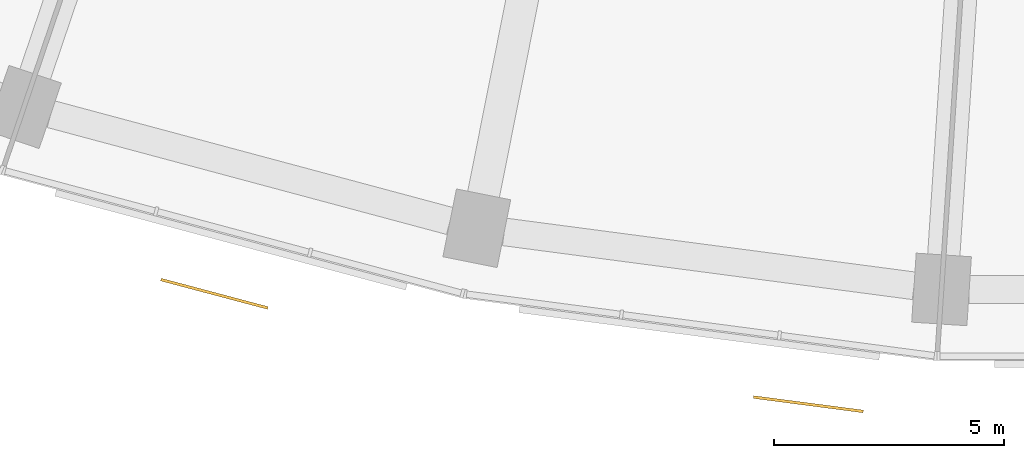
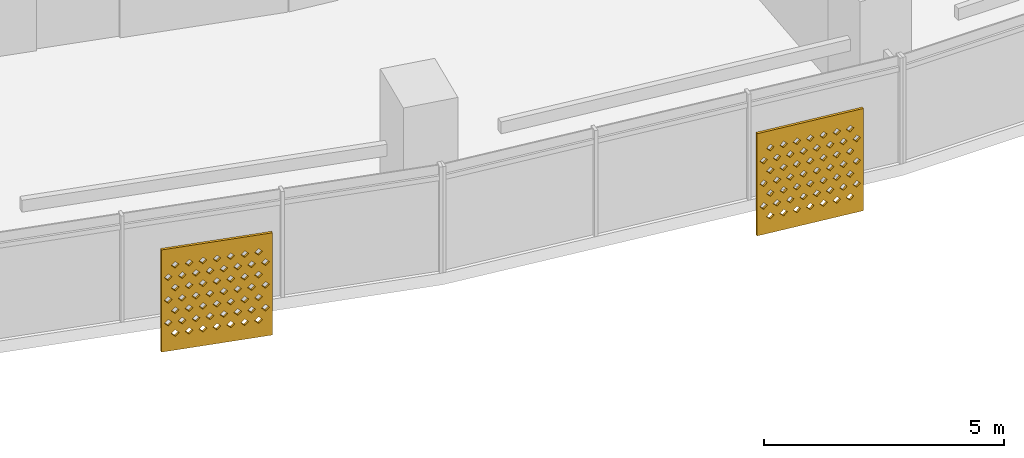
# One storey, part 26 of 29: 2 shading devices.
"""IFC4 building model written with IfcOpenShell, lengths in metres."""

from ifc_helpers import new_model, si_unit, direction, frame, origin, place, context, subcontext, project, spatial, polyline, outline, extrude, material, material_profile, profile_set, type_object, element, save


model = new_model("IFC4")

# Units and contexts
model_context = context("Model", 3, precision=1e-05, world=origin(), true_north=direction((0.0, 1.0)))
body_context = subcontext(model_context, "Body", "Model", "MODEL_VIEW")
ifc_project = project(units=[si_unit("LENGTHUNIT", "METRE"), si_unit("AREAUNIT", "SQUARE_METRE"), si_unit("VOLUMEUNIT", "CUBIC_METRE"), si_unit("PLANEANGLEUNIT", "RADIAN"), si_unit("MASSUNIT", "GRAM", prefix="KILO")], contexts=[model_context])

# Site, building, storey
site_placement = place(None, origin())
site = spatial("IfcSite", under=ifc_project, at=site_placement, CompositionType="ELEMENT")
building_placement = place(site_placement, origin())
building = spatial("IfcBuilding", under=site, at=building_placement, Name="Qamariyya Broadcast Tower", CompositionType="ELEMENT")
storey_placement = place(building_placement, frame((0.0, 0.0, 129.10009765625)))
storey = spatial("IfcBuildingStorey", under=building, at=storey_placement, Name="L29", CompositionType="ELEMENT", Elevation=129.10009765625)

# Shading devices
ifc_material = material(Name="Perforated glazed terracotta", Category="masonry")
ifc_material_profile = material_profile(ifc_material, outline(polyline([(-1.199951171875, -1.300048828125), (1.199951171875, -1.300048828125), (1.199951171875, 1.300048828125), (-1.199951171875, 1.300048828125), (-1.199951171875, -1.300048828125)]), holes=[polyline([(-0.81494140625, -0.86669921875), (-0.89990234375, -0.78173828125), (-0.985107421875, -0.86669921875), (-0.89990234375, -0.95166015625), (-0.81494140625, -0.86669921875)]), polyline([(-0.514892578125, -0.86669921875), (-0.60009765625, -0.78173828125), (-0.68505859375, -0.86669921875), (-0.60009765625, -0.95166015625), (-0.514892578125, -0.86669921875)]), polyline([(-0.215087890625, -0.86669921875), (-0.300048828125, -0.78173828125), (-0.385009765625, -0.86669921875), (-0.300048828125, -0.95166015625), (-0.215087890625, -0.86669921875)]), polyline([(0.0849609375, -0.86669921875), (0.0, -0.78173828125), (-0.0849609375, -0.86669921875), (0.0, -0.95166015625), (0.0849609375, -0.86669921875)]), polyline([(0.385009765625, -0.86669921875), (0.300048828125, -0.78173828125), (0.215087890625, -0.86669921875), (0.300048828125, -0.95166015625), (0.385009765625, -0.86669921875)]), polyline([(0.68505859375, -0.86669921875), (0.60009765625, -0.78173828125), (0.514892578125, -0.86669921875), (0.60009765625, -0.95166015625), (0.68505859375, -0.86669921875)]), polyline([(0.985107421875, -0.86669921875), (0.89990234375, -0.78173828125), (0.81494140625, -0.86669921875), (0.89990234375, -0.95166015625), (0.985107421875, -0.86669921875)]), polyline([(-0.965087890625, -0.577880859375), (-1.050048828125, -0.49267578125), (-1.135009765625, -0.577880859375), (-1.050048828125, -0.662841796875), (-0.965087890625, -0.577880859375)]), polyline([(-0.6650390625, -0.577880859375), (-0.75, -0.49267578125), (-0.8349609375, -0.577880859375), (-0.75, -0.662841796875), (-0.6650390625, -0.577880859375)]), polyline([(-0.364990234375, -0.577880859375), (-0.449951171875, -0.49267578125), (-0.534912109375, -0.577880859375), (-0.449951171875, -0.662841796875), (-0.364990234375, -0.577880859375)]), polyline([(-0.06494140625, -0.577880859375), (-0.14990234375, -0.49267578125), (-0.235107421875, -0.577880859375), (-0.14990234375, -0.662841796875), (-0.06494140625, -0.577880859375)]), polyline([(0.235107421875, -0.577880859375), (0.14990234375, -0.49267578125), (0.06494140625, -0.577880859375), (0.14990234375, -0.662841796875), (0.235107421875, -0.577880859375)]), polyline([(0.534912109375, -0.577880859375), (0.449951171875, -0.49267578125), (0.364990234375, -0.577880859375), (0.449951171875, -0.662841796875), (0.534912109375, -0.577880859375)]), polyline([(0.8349609375, -0.577880859375), (0.75, -0.49267578125), (0.6650390625, -0.577880859375), (0.75, -0.662841796875), (0.8349609375, -0.577880859375)]), polyline([(1.135009765625, -0.577880859375), (1.050048828125, -0.49267578125), (0.965087890625, -0.577880859375), (1.050048828125, -0.662841796875), (1.135009765625, -0.577880859375)]), polyline([(-0.81494140625, -0.288818359375), (-0.89990234375, -0.203857421875), (-0.985107421875, -0.288818359375), (-0.89990234375, -0.373779296875), (-0.81494140625, -0.288818359375)]), polyline([(-0.514892578125, -0.288818359375), (-0.60009765625, -0.203857421875), (-0.68505859375, -0.288818359375), (-0.60009765625, -0.373779296875), (-0.514892578125, -0.288818359375)]), polyline([(-0.215087890625, -0.288818359375), (-0.300048828125, -0.203857421875), (-0.385009765625, -0.288818359375), (-0.300048828125, -0.373779296875), (-0.215087890625, -0.288818359375)]), polyline([(0.0849609375, -0.288818359375), (0.0, -0.203857421875), (-0.0849609375, -0.288818359375), (0.0, -0.373779296875), (0.0849609375, -0.288818359375)]), polyline([(0.385009765625, -0.288818359375), (0.300048828125, -0.203857421875), (0.215087890625, -0.288818359375), (0.300048828125, -0.373779296875), (0.385009765625, -0.288818359375)]), polyline([(0.68505859375, -0.288818359375), (0.60009765625, -0.203857421875), (0.514892578125, -0.288818359375), (0.60009765625, -0.373779296875), (0.68505859375, -0.288818359375)]), polyline([(0.985107421875, -0.288818359375), (0.89990234375, -0.203857421875), (0.81494140625, -0.288818359375), (0.89990234375, -0.373779296875), (0.985107421875, -0.288818359375)]), polyline([(-0.965087890625, 0.0), (-1.050048828125, 0.0849609375), (-1.135009765625, 0.0), (-1.050048828125, -0.0849609375), (-0.965087890625, 0.0)]), polyline([(-0.6650390625, 0.0), (-0.75, 0.0849609375), (-0.8349609375, 0.0), (-0.75, -0.0849609375), (-0.6650390625, 0.0)]), polyline([(-0.364990234375, 0.0), (-0.449951171875, 0.0849609375), (-0.534912109375, 0.0), (-0.449951171875, -0.0849609375), (-0.364990234375, 0.0)]), polyline([(-0.06494140625, 0.0), (-0.14990234375, 0.0849609375), (-0.235107421875, 0.0), (-0.14990234375, -0.0849609375), (-0.06494140625, 0.0)]), polyline([(0.235107421875, 0.0), (0.14990234375, 0.0849609375), (0.06494140625, 0.0), (0.14990234375, -0.0849609375), (0.235107421875, 0.0)]), polyline([(0.534912109375, 0.0), (0.449951171875, 0.0849609375), (0.364990234375, 0.0), (0.449951171875, -0.0849609375), (0.534912109375, 0.0)]), polyline([(0.8349609375, 0.0), (0.75, 0.0849609375), (0.6650390625, 0.0), (0.75, -0.0849609375), (0.8349609375, 0.0)]), polyline([(1.135009765625, 0.0), (1.050048828125, 0.0849609375), (0.965087890625, 0.0), (1.050048828125, -0.0849609375), (1.135009765625, 0.0)]), polyline([(-0.81494140625, 0.288818359375), (-0.89990234375, 0.373779296875), (-0.985107421875, 0.288818359375), (-0.89990234375, 0.203857421875), (-0.81494140625, 0.288818359375)]), polyline([(-0.514892578125, 0.288818359375), (-0.60009765625, 0.373779296875), (-0.68505859375, 0.288818359375), (-0.60009765625, 0.203857421875), (-0.514892578125, 0.288818359375)]), polyline([(-0.215087890625, 0.288818359375), (-0.300048828125, 0.373779296875), (-0.385009765625, 0.288818359375), (-0.300048828125, 0.203857421875), (-0.215087890625, 0.288818359375)]), polyline([(0.0849609375, 0.288818359375), (0.0, 0.373779296875), (-0.0849609375, 0.288818359375), (0.0, 0.203857421875), (0.0849609375, 0.288818359375)]), polyline([(0.385009765625, 0.288818359375), (0.300048828125, 0.373779296875), (0.215087890625, 0.288818359375), (0.300048828125, 0.203857421875), (0.385009765625, 0.288818359375)]), polyline([(0.68505859375, 0.288818359375), (0.60009765625, 0.373779296875), (0.514892578125, 0.288818359375), (0.60009765625, 0.203857421875), (0.68505859375, 0.288818359375)]), polyline([(0.985107421875, 0.288818359375), (0.89990234375, 0.373779296875), (0.81494140625, 0.288818359375), (0.89990234375, 0.203857421875), (0.985107421875, 0.288818359375)]), polyline([(-0.965087890625, 0.577880859375), (-1.050048828125, 0.662841796875), (-1.135009765625, 0.577880859375), (-1.050048828125, 0.49267578125), (-0.965087890625, 0.577880859375)]), polyline([(-0.6650390625, 0.577880859375), (-0.75, 0.662841796875), (-0.8349609375, 0.577880859375), (-0.75, 0.49267578125), (-0.6650390625, 0.577880859375)]), polyline([(-0.364990234375, 0.577880859375), (-0.449951171875, 0.662841796875), (-0.534912109375, 0.577880859375), (-0.449951171875, 0.49267578125), (-0.364990234375, 0.577880859375)]), polyline([(-0.06494140625, 0.577880859375), (-0.14990234375, 0.662841796875), (-0.235107421875, 0.577880859375), (-0.14990234375, 0.49267578125), (-0.06494140625, 0.577880859375)]), polyline([(0.235107421875, 0.577880859375), (0.14990234375, 0.662841796875), (0.06494140625, 0.577880859375), (0.14990234375, 0.49267578125), (0.235107421875, 0.577880859375)]), polyline([(0.534912109375, 0.577880859375), (0.449951171875, 0.662841796875), (0.364990234375, 0.577880859375), (0.449951171875, 0.49267578125), (0.534912109375, 0.577880859375)]), polyline([(0.8349609375, 0.577880859375), (0.75, 0.662841796875), (0.6650390625, 0.577880859375), (0.75, 0.49267578125), (0.8349609375, 0.577880859375)]), polyline([(1.135009765625, 0.577880859375), (1.050048828125, 0.662841796875), (0.965087890625, 0.577880859375), (1.050048828125, 0.49267578125), (1.135009765625, 0.577880859375)]), polyline([(-0.81494140625, 0.86669921875), (-0.89990234375, 0.95166015625), (-0.985107421875, 0.86669921875), (-0.89990234375, 0.78173828125), (-0.81494140625, 0.86669921875)]), polyline([(-0.514892578125, 0.86669921875), (-0.60009765625, 0.95166015625), (-0.68505859375, 0.86669921875), (-0.60009765625, 0.78173828125), (-0.514892578125, 0.86669921875)]), polyline([(-0.215087890625, 0.86669921875), (-0.300048828125, 0.95166015625), (-0.385009765625, 0.86669921875), (-0.300048828125, 0.78173828125), (-0.215087890625, 0.86669921875)]), polyline([(0.0849609375, 0.86669921875), (0.0, 0.95166015625), (-0.0849609375, 0.86669921875), (0.0, 0.78173828125), (0.0849609375, 0.86669921875)]), polyline([(0.385009765625, 0.86669921875), (0.300048828125, 0.95166015625), (0.215087890625, 0.86669921875), (0.300048828125, 0.78173828125), (0.385009765625, 0.86669921875)]), polyline([(0.68505859375, 0.86669921875), (0.60009765625, 0.95166015625), (0.514892578125, 0.86669921875), (0.60009765625, 0.78173828125), (0.68505859375, 0.86669921875)]), polyline([(0.985107421875, 0.86669921875), (0.89990234375, 0.95166015625), (0.81494140625, 0.86669921875), (0.89990234375, 0.78173828125), (0.985107421875, 0.86669921875)])]))
ifc_profile_set = profile_set([ifc_material_profile], Name="Perforated glazed terracotta")
shading_device_type = type_object("IfcShadingDeviceType", Name="Perforated terracotta screen 2400 x 2600", PredefinedType="USERDEFINED", material=ifc_profile_set)
shading_device_1_placement = place(storey_placement, frame((-20.854248046875, -77.648681640625, 1.349853515625), z_axis=(-0.256901156343, -0.966437683387, 0.0), x_axis=(0.966437683387, -0.256901156343, 0.0)))
element("IfcShadingDevice", 1, at=shading_device_1_placement, inside=storey, type_object=shading_device_type, Name="e-scr-L29-07-1", ObjectType="SCREEN", PredefinedType="USERDEFINED", context=body_context, shape_type="SweptSolid", body=[
    extrude(outline(polyline([(-1.199951171875, -1.300048828125), (1.199951171875, -1.300048828125), (1.199951171875, 1.300048828125), (-1.199951171875, 1.300048828125), (-1.199951171875, -1.300048828125)]), holes=[polyline([(-0.81494140625, -0.86669921875), (-0.89990234375, -0.78173828125), (-0.985107421875, -0.86669921875), (-0.89990234375, -0.95166015625), (-0.81494140625, -0.86669921875)]), polyline([(-0.514892578125, -0.86669921875), (-0.60009765625, -0.78173828125), (-0.68505859375, -0.86669921875), (-0.60009765625, -0.95166015625), (-0.514892578125, -0.86669921875)]), polyline([(-0.215087890625, -0.86669921875), (-0.300048828125, -0.78173828125), (-0.385009765625, -0.86669921875), (-0.300048828125, -0.95166015625), (-0.215087890625, -0.86669921875)]), polyline([(0.0849609375, -0.86669921875), (0.0, -0.78173828125), (-0.0849609375, -0.86669921875), (0.0, -0.95166015625), (0.0849609375, -0.86669921875)]), polyline([(0.385009765625, -0.86669921875), (0.300048828125, -0.78173828125), (0.215087890625, -0.86669921875), (0.300048828125, -0.95166015625), (0.385009765625, -0.86669921875)]), polyline([(0.68505859375, -0.86669921875), (0.60009765625, -0.78173828125), (0.514892578125, -0.86669921875), (0.60009765625, -0.95166015625), (0.68505859375, -0.86669921875)]), polyline([(0.985107421875, -0.86669921875), (0.89990234375, -0.78173828125), (0.81494140625, -0.86669921875), (0.89990234375, -0.95166015625), (0.985107421875, -0.86669921875)]), polyline([(-0.965087890625, -0.577880859375), (-1.050048828125, -0.49267578125), (-1.135009765625, -0.577880859375), (-1.050048828125, -0.662841796875), (-0.965087890625, -0.577880859375)]), polyline([(-0.6650390625, -0.577880859375), (-0.75, -0.49267578125), (-0.8349609375, -0.577880859375), (-0.75, -0.662841796875), (-0.6650390625, -0.577880859375)]), polyline([(-0.364990234375, -0.577880859375), (-0.449951171875, -0.49267578125), (-0.534912109375, -0.577880859375), (-0.449951171875, -0.662841796875), (-0.364990234375, -0.577880859375)]), polyline([(-0.06494140625, -0.577880859375), (-0.14990234375, -0.49267578125), (-0.235107421875, -0.577880859375), (-0.14990234375, -0.662841796875), (-0.06494140625, -0.577880859375)]), polyline([(0.235107421875, -0.577880859375), (0.14990234375, -0.49267578125), (0.06494140625, -0.577880859375), (0.14990234375, -0.662841796875), (0.235107421875, -0.577880859375)]), polyline([(0.534912109375, -0.577880859375), (0.449951171875, -0.49267578125), (0.364990234375, -0.577880859375), (0.449951171875, -0.662841796875), (0.534912109375, -0.577880859375)]), polyline([(0.8349609375, -0.577880859375), (0.75, -0.49267578125), (0.6650390625, -0.577880859375), (0.75, -0.662841796875), (0.8349609375, -0.577880859375)]), polyline([(1.135009765625, -0.577880859375), (1.050048828125, -0.49267578125), (0.965087890625, -0.577880859375), (1.050048828125, -0.662841796875), (1.135009765625, -0.577880859375)]), polyline([(-0.81494140625, -0.288818359375), (-0.89990234375, -0.203857421875), (-0.985107421875, -0.288818359375), (-0.89990234375, -0.373779296875), (-0.81494140625, -0.288818359375)]), polyline([(-0.514892578125, -0.288818359375), (-0.60009765625, -0.203857421875), (-0.68505859375, -0.288818359375), (-0.60009765625, -0.373779296875), (-0.514892578125, -0.288818359375)]), polyline([(-0.215087890625, -0.288818359375), (-0.300048828125, -0.203857421875), (-0.385009765625, -0.288818359375), (-0.300048828125, -0.373779296875), (-0.215087890625, -0.288818359375)]), polyline([(0.0849609375, -0.288818359375), (0.0, -0.203857421875), (-0.0849609375, -0.288818359375), (0.0, -0.373779296875), (0.0849609375, -0.288818359375)]), polyline([(0.385009765625, -0.288818359375), (0.300048828125, -0.203857421875), (0.215087890625, -0.288818359375), (0.300048828125, -0.373779296875), (0.385009765625, -0.288818359375)]), polyline([(0.68505859375, -0.288818359375), (0.60009765625, -0.203857421875), (0.514892578125, -0.288818359375), (0.60009765625, -0.373779296875), (0.68505859375, -0.288818359375)]), polyline([(0.985107421875, -0.288818359375), (0.89990234375, -0.203857421875), (0.81494140625, -0.288818359375), (0.89990234375, -0.373779296875), (0.985107421875, -0.288818359375)]), polyline([(-0.965087890625, 0.0), (-1.050048828125, 0.0849609375), (-1.135009765625, 0.0), (-1.050048828125, -0.0849609375), (-0.965087890625, 0.0)]), polyline([(-0.6650390625, 0.0), (-0.75, 0.0849609375), (-0.8349609375, 0.0), (-0.75, -0.0849609375), (-0.6650390625, 0.0)]), polyline([(-0.364990234375, 0.0), (-0.449951171875, 0.0849609375), (-0.534912109375, 0.0), (-0.449951171875, -0.0849609375), (-0.364990234375, 0.0)]), polyline([(-0.06494140625, 0.0), (-0.14990234375, 0.0849609375), (-0.235107421875, 0.0), (-0.14990234375, -0.0849609375), (-0.06494140625, 0.0)]), polyline([(0.235107421875, 0.0), (0.14990234375, 0.0849609375), (0.06494140625, 0.0), (0.14990234375, -0.0849609375), (0.235107421875, 0.0)]), polyline([(0.534912109375, 0.0), (0.449951171875, 0.0849609375), (0.364990234375, 0.0), (0.449951171875, -0.0849609375), (0.534912109375, 0.0)]), polyline([(0.8349609375, 0.0), (0.75, 0.0849609375), (0.6650390625, 0.0), (0.75, -0.0849609375), (0.8349609375, 0.0)]), polyline([(1.135009765625, 0.0), (1.050048828125, 0.0849609375), (0.965087890625, 0.0), (1.050048828125, -0.0849609375), (1.135009765625, 0.0)]), polyline([(-0.81494140625, 0.288818359375), (-0.89990234375, 0.373779296875), (-0.985107421875, 0.288818359375), (-0.89990234375, 0.203857421875), (-0.81494140625, 0.288818359375)]), polyline([(-0.514892578125, 0.288818359375), (-0.60009765625, 0.373779296875), (-0.68505859375, 0.288818359375), (-0.60009765625, 0.203857421875), (-0.514892578125, 0.288818359375)]), polyline([(-0.215087890625, 0.288818359375), (-0.300048828125, 0.373779296875), (-0.385009765625, 0.288818359375), (-0.300048828125, 0.203857421875), (-0.215087890625, 0.288818359375)]), polyline([(0.0849609375, 0.288818359375), (0.0, 0.373779296875), (-0.0849609375, 0.288818359375), (0.0, 0.203857421875), (0.0849609375, 0.288818359375)]), polyline([(0.385009765625, 0.288818359375), (0.300048828125, 0.373779296875), (0.215087890625, 0.288818359375), (0.300048828125, 0.203857421875), (0.385009765625, 0.288818359375)]), polyline([(0.68505859375, 0.288818359375), (0.60009765625, 0.373779296875), (0.514892578125, 0.288818359375), (0.60009765625, 0.203857421875), (0.68505859375, 0.288818359375)]), polyline([(0.985107421875, 0.288818359375), (0.89990234375, 0.373779296875), (0.81494140625, 0.288818359375), (0.89990234375, 0.203857421875), (0.985107421875, 0.288818359375)]), polyline([(-0.965087890625, 0.577880859375), (-1.050048828125, 0.662841796875), (-1.135009765625, 0.577880859375), (-1.050048828125, 0.49267578125), (-0.965087890625, 0.577880859375)]), polyline([(-0.6650390625, 0.577880859375), (-0.75, 0.662841796875), (-0.8349609375, 0.577880859375), (-0.75, 0.49267578125), (-0.6650390625, 0.577880859375)]), polyline([(-0.364990234375, 0.577880859375), (-0.449951171875, 0.662841796875), (-0.534912109375, 0.577880859375), (-0.449951171875, 0.49267578125), (-0.364990234375, 0.577880859375)]), polyline([(-0.06494140625, 0.577880859375), (-0.14990234375, 0.662841796875), (-0.235107421875, 0.577880859375), (-0.14990234375, 0.49267578125), (-0.06494140625, 0.577880859375)]), polyline([(0.235107421875, 0.577880859375), (0.14990234375, 0.662841796875), (0.06494140625, 0.577880859375), (0.14990234375, 0.49267578125), (0.235107421875, 0.577880859375)]), polyline([(0.534912109375, 0.577880859375), (0.449951171875, 0.662841796875), (0.364990234375, 0.577880859375), (0.449951171875, 0.49267578125), (0.534912109375, 0.577880859375)]), polyline([(0.8349609375, 0.577880859375), (0.75, 0.662841796875), (0.6650390625, 0.577880859375), (0.75, 0.49267578125), (0.8349609375, 0.577880859375)]), polyline([(1.135009765625, 0.577880859375), (1.050048828125, 0.662841796875), (0.965087890625, 0.577880859375), (1.050048828125, 0.49267578125), (1.135009765625, 0.577880859375)]), polyline([(-0.81494140625, 0.86669921875), (-0.89990234375, 0.95166015625), (-0.985107421875, 0.86669921875), (-0.89990234375, 0.78173828125), (-0.81494140625, 0.86669921875)]), polyline([(-0.514892578125, 0.86669921875), (-0.60009765625, 0.95166015625), (-0.68505859375, 0.86669921875), (-0.60009765625, 0.78173828125), (-0.514892578125, 0.86669921875)]), polyline([(-0.215087890625, 0.86669921875), (-0.300048828125, 0.95166015625), (-0.385009765625, 0.86669921875), (-0.300048828125, 0.78173828125), (-0.215087890625, 0.86669921875)]), polyline([(0.0849609375, 0.86669921875), (0.0, 0.95166015625), (-0.0849609375, 0.86669921875), (0.0, 0.78173828125), (0.0849609375, 0.86669921875)]), polyline([(0.385009765625, 0.86669921875), (0.300048828125, 0.95166015625), (0.215087890625, 0.86669921875), (0.300048828125, 0.78173828125), (0.385009765625, 0.86669921875)]), polyline([(0.68505859375, 0.86669921875), (0.60009765625, 0.95166015625), (0.514892578125, 0.86669921875), (0.60009765625, 0.78173828125), (0.68505859375, 0.86669921875)]), polyline([(0.985107421875, 0.86669921875), (0.89990234375, 0.95166015625), (0.81494140625, 0.86669921875), (0.89990234375, 0.78173828125), (0.985107421875, 0.86669921875)])]), origin(), (0.0, 0.0, 1.0), 0.059814453125),
])
shading_device_2_placement = place(storey_placement, frame((-7.969482421875, -80.044677734375, 1.349853515625), z_axis=(-0.1300340368, -0.991509530601, 0.0), x_axis=(0.991509530601, -0.1300340368, 0.0)))
element("IfcShadingDevice", 2, at=shading_device_2_placement, inside=storey, type_object=shading_device_type, Name="e-scr-L29-08-2", ObjectType="SCREEN", PredefinedType="USERDEFINED", context=body_context, shape_type="SweptSolid", body=[
    extrude(outline(polyline([(-1.199951171875, -1.300048828125), (1.199951171875, -1.300048828125), (1.199951171875, 1.300048828125), (-1.199951171875, 1.300048828125), (-1.199951171875, -1.300048828125)]), holes=[polyline([(-0.81494140625, -0.86669921875), (-0.89990234375, -0.78173828125), (-0.985107421875, -0.86669921875), (-0.89990234375, -0.95166015625), (-0.81494140625, -0.86669921875)]), polyline([(-0.514892578125, -0.86669921875), (-0.60009765625, -0.78173828125), (-0.68505859375, -0.86669921875), (-0.60009765625, -0.95166015625), (-0.514892578125, -0.86669921875)]), polyline([(-0.215087890625, -0.86669921875), (-0.300048828125, -0.78173828125), (-0.385009765625, -0.86669921875), (-0.300048828125, -0.95166015625), (-0.215087890625, -0.86669921875)]), polyline([(0.0849609375, -0.86669921875), (0.0, -0.78173828125), (-0.0849609375, -0.86669921875), (0.0, -0.95166015625), (0.0849609375, -0.86669921875)]), polyline([(0.385009765625, -0.86669921875), (0.300048828125, -0.78173828125), (0.215087890625, -0.86669921875), (0.300048828125, -0.95166015625), (0.385009765625, -0.86669921875)]), polyline([(0.68505859375, -0.86669921875), (0.60009765625, -0.78173828125), (0.514892578125, -0.86669921875), (0.60009765625, -0.95166015625), (0.68505859375, -0.86669921875)]), polyline([(0.985107421875, -0.86669921875), (0.89990234375, -0.78173828125), (0.81494140625, -0.86669921875), (0.89990234375, -0.95166015625), (0.985107421875, -0.86669921875)]), polyline([(-0.965087890625, -0.577880859375), (-1.050048828125, -0.49267578125), (-1.135009765625, -0.577880859375), (-1.050048828125, -0.662841796875), (-0.965087890625, -0.577880859375)]), polyline([(-0.6650390625, -0.577880859375), (-0.75, -0.49267578125), (-0.8349609375, -0.577880859375), (-0.75, -0.662841796875), (-0.6650390625, -0.577880859375)]), polyline([(-0.364990234375, -0.577880859375), (-0.449951171875, -0.49267578125), (-0.534912109375, -0.577880859375), (-0.449951171875, -0.662841796875), (-0.364990234375, -0.577880859375)]), polyline([(-0.06494140625, -0.577880859375), (-0.14990234375, -0.49267578125), (-0.235107421875, -0.577880859375), (-0.14990234375, -0.662841796875), (-0.06494140625, -0.577880859375)]), polyline([(0.235107421875, -0.577880859375), (0.14990234375, -0.49267578125), (0.06494140625, -0.577880859375), (0.14990234375, -0.662841796875), (0.235107421875, -0.577880859375)]), polyline([(0.534912109375, -0.577880859375), (0.449951171875, -0.49267578125), (0.364990234375, -0.577880859375), (0.449951171875, -0.662841796875), (0.534912109375, -0.577880859375)]), polyline([(0.8349609375, -0.577880859375), (0.75, -0.49267578125), (0.6650390625, -0.577880859375), (0.75, -0.662841796875), (0.8349609375, -0.577880859375)]), polyline([(1.135009765625, -0.577880859375), (1.050048828125, -0.49267578125), (0.965087890625, -0.577880859375), (1.050048828125, -0.662841796875), (1.135009765625, -0.577880859375)]), polyline([(-0.81494140625, -0.288818359375), (-0.89990234375, -0.203857421875), (-0.985107421875, -0.288818359375), (-0.89990234375, -0.373779296875), (-0.81494140625, -0.288818359375)]), polyline([(-0.514892578125, -0.288818359375), (-0.60009765625, -0.203857421875), (-0.68505859375, -0.288818359375), (-0.60009765625, -0.373779296875), (-0.514892578125, -0.288818359375)]), polyline([(-0.215087890625, -0.288818359375), (-0.300048828125, -0.203857421875), (-0.385009765625, -0.288818359375), (-0.300048828125, -0.373779296875), (-0.215087890625, -0.288818359375)]), polyline([(0.0849609375, -0.288818359375), (0.0, -0.203857421875), (-0.0849609375, -0.288818359375), (0.0, -0.373779296875), (0.0849609375, -0.288818359375)]), polyline([(0.385009765625, -0.288818359375), (0.300048828125, -0.203857421875), (0.215087890625, -0.288818359375), (0.300048828125, -0.373779296875), (0.385009765625, -0.288818359375)]), polyline([(0.68505859375, -0.288818359375), (0.60009765625, -0.203857421875), (0.514892578125, -0.288818359375), (0.60009765625, -0.373779296875), (0.68505859375, -0.288818359375)]), polyline([(0.985107421875, -0.288818359375), (0.89990234375, -0.203857421875), (0.81494140625, -0.288818359375), (0.89990234375, -0.373779296875), (0.985107421875, -0.288818359375)]), polyline([(-0.965087890625, 0.0), (-1.050048828125, 0.0849609375), (-1.135009765625, 0.0), (-1.050048828125, -0.0849609375), (-0.965087890625, 0.0)]), polyline([(-0.6650390625, 0.0), (-0.75, 0.0849609375), (-0.8349609375, 0.0), (-0.75, -0.0849609375), (-0.6650390625, 0.0)]), polyline([(-0.364990234375, 0.0), (-0.449951171875, 0.0849609375), (-0.534912109375, 0.0), (-0.449951171875, -0.0849609375), (-0.364990234375, 0.0)]), polyline([(-0.06494140625, 0.0), (-0.14990234375, 0.0849609375), (-0.235107421875, 0.0), (-0.14990234375, -0.0849609375), (-0.06494140625, 0.0)]), polyline([(0.235107421875, 0.0), (0.14990234375, 0.0849609375), (0.06494140625, 0.0), (0.14990234375, -0.0849609375), (0.235107421875, 0.0)]), polyline([(0.534912109375, 0.0), (0.449951171875, 0.0849609375), (0.364990234375, 0.0), (0.449951171875, -0.0849609375), (0.534912109375, 0.0)]), polyline([(0.8349609375, 0.0), (0.75, 0.0849609375), (0.6650390625, 0.0), (0.75, -0.0849609375), (0.8349609375, 0.0)]), polyline([(1.135009765625, 0.0), (1.050048828125, 0.0849609375), (0.965087890625, 0.0), (1.050048828125, -0.0849609375), (1.135009765625, 0.0)]), polyline([(-0.81494140625, 0.288818359375), (-0.89990234375, 0.373779296875), (-0.985107421875, 0.288818359375), (-0.89990234375, 0.203857421875), (-0.81494140625, 0.288818359375)]), polyline([(-0.514892578125, 0.288818359375), (-0.60009765625, 0.373779296875), (-0.68505859375, 0.288818359375), (-0.60009765625, 0.203857421875), (-0.514892578125, 0.288818359375)]), polyline([(-0.215087890625, 0.288818359375), (-0.300048828125, 0.373779296875), (-0.385009765625, 0.288818359375), (-0.300048828125, 0.203857421875), (-0.215087890625, 0.288818359375)]), polyline([(0.0849609375, 0.288818359375), (0.0, 0.373779296875), (-0.0849609375, 0.288818359375), (0.0, 0.203857421875), (0.0849609375, 0.288818359375)]), polyline([(0.385009765625, 0.288818359375), (0.300048828125, 0.373779296875), (0.215087890625, 0.288818359375), (0.300048828125, 0.203857421875), (0.385009765625, 0.288818359375)]), polyline([(0.68505859375, 0.288818359375), (0.60009765625, 0.373779296875), (0.514892578125, 0.288818359375), (0.60009765625, 0.203857421875), (0.68505859375, 0.288818359375)]), polyline([(0.985107421875, 0.288818359375), (0.89990234375, 0.373779296875), (0.81494140625, 0.288818359375), (0.89990234375, 0.203857421875), (0.985107421875, 0.288818359375)]), polyline([(-0.965087890625, 0.577880859375), (-1.050048828125, 0.662841796875), (-1.135009765625, 0.577880859375), (-1.050048828125, 0.49267578125), (-0.965087890625, 0.577880859375)]), polyline([(-0.6650390625, 0.577880859375), (-0.75, 0.662841796875), (-0.8349609375, 0.577880859375), (-0.75, 0.49267578125), (-0.6650390625, 0.577880859375)]), polyline([(-0.364990234375, 0.577880859375), (-0.449951171875, 0.662841796875), (-0.534912109375, 0.577880859375), (-0.449951171875, 0.49267578125), (-0.364990234375, 0.577880859375)]), polyline([(-0.06494140625, 0.577880859375), (-0.14990234375, 0.662841796875), (-0.235107421875, 0.577880859375), (-0.14990234375, 0.49267578125), (-0.06494140625, 0.577880859375)]), polyline([(0.235107421875, 0.577880859375), (0.14990234375, 0.662841796875), (0.06494140625, 0.577880859375), (0.14990234375, 0.49267578125), (0.235107421875, 0.577880859375)]), polyline([(0.534912109375, 0.577880859375), (0.449951171875, 0.662841796875), (0.364990234375, 0.577880859375), (0.449951171875, 0.49267578125), (0.534912109375, 0.577880859375)]), polyline([(0.8349609375, 0.577880859375), (0.75, 0.662841796875), (0.6650390625, 0.577880859375), (0.75, 0.49267578125), (0.8349609375, 0.577880859375)]), polyline([(1.135009765625, 0.577880859375), (1.050048828125, 0.662841796875), (0.965087890625, 0.577880859375), (1.050048828125, 0.49267578125), (1.135009765625, 0.577880859375)]), polyline([(-0.81494140625, 0.86669921875), (-0.89990234375, 0.95166015625), (-0.985107421875, 0.86669921875), (-0.89990234375, 0.78173828125), (-0.81494140625, 0.86669921875)]), polyline([(-0.514892578125, 0.86669921875), (-0.60009765625, 0.95166015625), (-0.68505859375, 0.86669921875), (-0.60009765625, 0.78173828125), (-0.514892578125, 0.86669921875)]), polyline([(-0.215087890625, 0.86669921875), (-0.300048828125, 0.95166015625), (-0.385009765625, 0.86669921875), (-0.300048828125, 0.78173828125), (-0.215087890625, 0.86669921875)]), polyline([(0.0849609375, 0.86669921875), (0.0, 0.95166015625), (-0.0849609375, 0.86669921875), (0.0, 0.78173828125), (0.0849609375, 0.86669921875)]), polyline([(0.385009765625, 0.86669921875), (0.300048828125, 0.95166015625), (0.215087890625, 0.86669921875), (0.300048828125, 0.78173828125), (0.385009765625, 0.86669921875)]), polyline([(0.68505859375, 0.86669921875), (0.60009765625, 0.95166015625), (0.514892578125, 0.86669921875), (0.60009765625, 0.78173828125), (0.68505859375, 0.86669921875)]), polyline([(0.985107421875, 0.86669921875), (0.89990234375, 0.95166015625), (0.81494140625, 0.86669921875), (0.89990234375, 0.78173828125), (0.985107421875, 0.86669921875)])]), origin(), (0.0, 0.0, 1.0), 0.06005859375),
])

save(model, "model.ifc")
